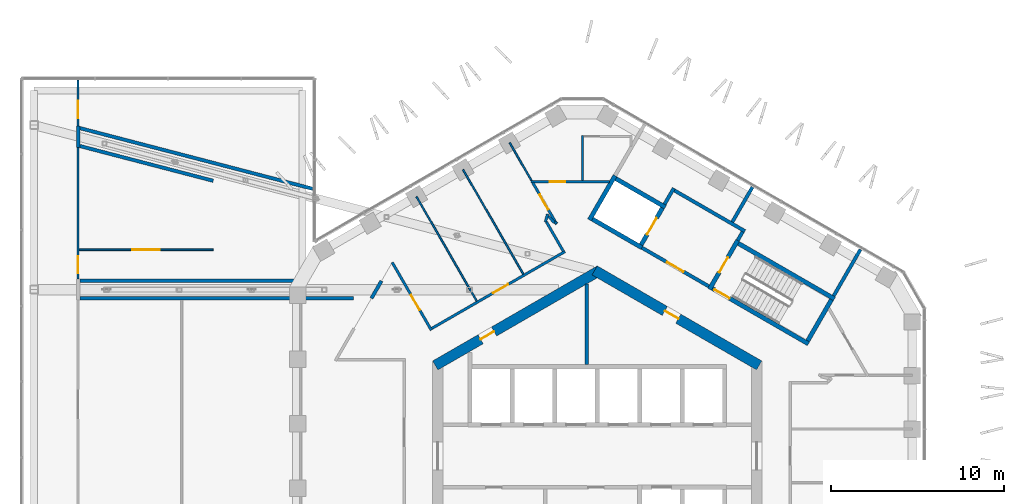
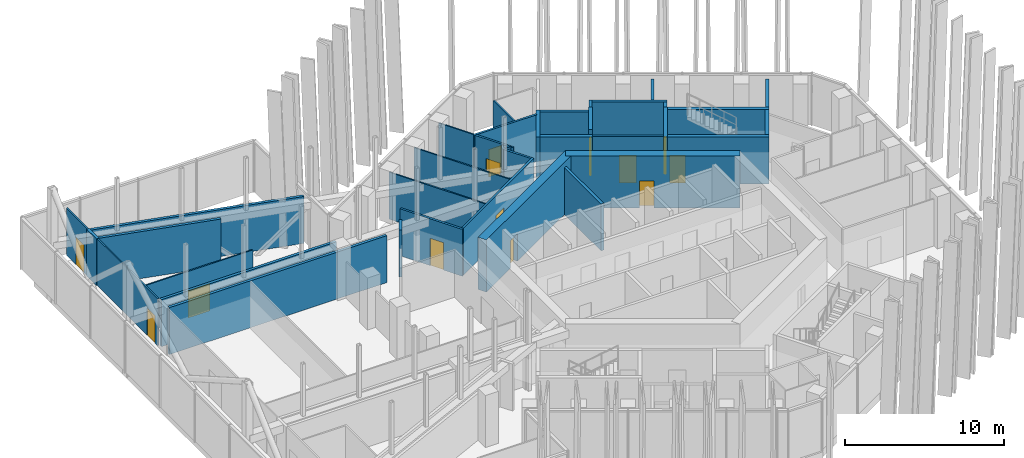
# One storey, part 21 of 28: 38 walls, 13 doors, 13 openings.
"""IFC4 building model written with IfcOpenShell, lengths in metres."""

from ifc_helpers import new_model, si_unit, direction, frame, frame_2d, origin, place, context, subcontext, project, spatial, rectangle, extrude, material, layer, layer_set, type_object, element, fill, save


model = new_model("IFC4")

# Units and contexts
model_context = context("Model", 3, precision=1e-05, world=origin(), true_north=direction((0.0, 1.0)))
body_context = subcontext(model_context, "Body", "Model", "MODEL_VIEW")
ifc_project = project(units=[si_unit("LENGTHUNIT", "METRE"), si_unit("AREAUNIT", "SQUARE_METRE"), si_unit("VOLUMEUNIT", "CUBIC_METRE"), si_unit("PLANEANGLEUNIT", "RADIAN"), si_unit("MASSUNIT", "GRAM", prefix="KILO")], contexts=[model_context])

# Site, building, storey
site_placement = place(None, origin())
site = spatial("IfcSite", under=ifc_project, at=site_placement, CompositionType="ELEMENT")
building_placement = place(site_placement, origin())
building = spatial("IfcBuilding", under=site, at=building_placement, Name="Ayvan Gate Tower", CompositionType="ELEMENT")
storey_placement = place(building_placement, frame((0.0, 0.0, 202.10009765625)))
storey = spatial("IfcBuildingStorey", under=building, at=storey_placement, Name="L54", CompositionType="ELEMENT", Elevation=202.10009765625)

# Wall, opening, door
ifc_material_1 = material(Name="Concrete C60/75", Category="concrete")
ifc_layer_1 = layer(ifc_material_1, 0.60009765625)
ifc_layer_set_1 = layer_set([ifc_layer_1], Name="Concrete C60/75")
wall_type_1 = type_object("IfcWallType", Name="Core wall 600 C60/75", PredefinedType="SHEAR", material=ifc_layer_set_1)
wall_1_placement = place(storey_placement, frame((9.35009765625, 5.22509765625, 0.0), z_axis=(0.0, 0.0, 1.0), x_axis=(-0.866023993627, 0.500002442456, 0.0)))
wall_1 = element("IfcWall", 1, at=wall_1_placement, inside=storey, type_object=wall_type_1, Name="CORE-L54-1", PredefinedType="SHEAR", context=body_context, shape_type="SweptSolid", body=[
    extrude(rectangle(XDim=10.9697265625, YDim=0.60009765625, at=frame_2d((5.48486328125, 0.0))), origin(), (0.0, 0.0, 1.0), 4.0),
])
opening_1_placement = place(wall_1_placement, frame((5.393310546875, 0.0, 0.0)))
opening_1 = element("IfcOpeningElement", 2, at=opening_1_placement, cuts=wall_1, Name="Opening L54-D46", PredefinedType="OPENING", context=body_context, shape_type="SweptSolid", body=[
    extrude(rectangle(XDim=0.89990234375, YDim=2.10009765625, at=frame_2d((0.449951171875, 1.050048828125))), frame((0.0, 0.31005859375, 0.0), z_axis=(0.0, -1.0, 0.0), x_axis=(1.0, 0.0, 0.0)), (0.0, 0.0, 1.0), 0.6201171875),
])
ifc_material_2 = material(Name="Timber door leaf", Category="wood")
door_type_1 = type_object("IfcDoorType", Name="DT-900", OperationType="NOTDEFINED", PredefinedType="DOOR", material=ifc_material_2)
door_1_placement = place(opening_1_placement, origin())
door_1 = element("IfcDoor", 3, at=door_1_placement, inside=storey, type_object=door_type_1, Name="CD-L54-46", OperationType="SINGLE_SWING_RIGHT", OverallHeight=2.10009765625, OverallWidth=0.89990234375, PredefinedType="DOOR", context=body_context, shape_type="SweptSolid", body=[
    extrude(rectangle(XDim=0.89990234375, YDim=2.10009765625, at=frame_2d((0.449951171875, 1.050048828125))), frame((0.0, 0.02490234375, 0.0), z_axis=(0.0, -1.0, 0.0), x_axis=(1.0, 0.0, 0.0)), (0.0, 0.0, 1.0), 0.050048828125),
])
fill(opening_1, door_1)

wall_2_placement = place(storey_placement, frame((0.14990234375, 10.7099609375, 0.0), z_axis=(0.0, 0.0, 1.0), x_axis=(-0.866023993627, -0.500002442456, 0.0)))
wall_2 = element("IfcWall", 4, at=wall_2_placement, inside=storey, type_object=wall_type_1, Name="CORE-L54-2", PredefinedType="SHEAR", context=body_context, shape_type="SweptSolid", body=[
    extrude(rectangle(XDim=10.9697265625, YDim=0.60009765625, at=frame_2d((5.48486328125, 0.0))), origin(), (0.0, 0.0, 1.0), 4.0),
])
opening_2_placement = place(wall_2_placement, frame((7.05029296875, 0.0, 0.0)))
opening_2 = element("IfcOpeningElement", 5, at=opening_2_placement, cuts=wall_2, Name="Opening L54-D45", PredefinedType="OPENING", context=body_context, shape_type="SweptSolid", body=[
    extrude(rectangle(XDim=0.89990234375, YDim=2.10009765625, at=frame_2d((0.449951171875, 1.050048828125))), frame((0.0, 0.31005859375, 0.0), z_axis=(0.0, -1.0, 0.0), x_axis=(1.0, 0.0, 0.0)), (0.0, 0.0, 1.0), 0.6201171875),
])
door_2_placement = place(opening_2_placement, origin())
door_2 = element("IfcDoor", 6, at=door_2_placement, inside=storey, type_object=door_type_1, Name="CD-L54-45", OperationType="SINGLE_SWING_LEFT", OverallHeight=2.10009765625, OverallWidth=0.89990234375, PredefinedType="DOOR", context=body_context, shape_type="SweptSolid", body=[
    extrude(rectangle(XDim=0.89990234375, YDim=2.10009765625, at=frame_2d((0.449951171875, 1.050048828125))), frame((0.0, 0.02490234375, 0.0), z_axis=(0.0, -1.0, 0.0), x_axis=(1.0, 0.0, 0.0)), (0.0, 0.0, 1.0), 0.050048828125),
])
fill(opening_2, door_2)

ifc_material_3 = material(Name="Plasterboard on steel stud", Category="steel")
ifc_layer_2 = layer(ifc_material_3, 0.14990234375)
ifc_layer_set_2 = layer_set([ifc_layer_2], Name="Plasterboard on steel stud")
wall_type_2 = type_object("IfcWallType", Name="WT-CORR-150", PredefinedType="PARTITIONING", material=ifc_layer_set_2)
wall_3_placement = place(storey_placement, frame((-11.83642578125, 11.1748046875, 0.0), z_axis=(0.0, 0.0, 1.0), x_axis=(0.499960863417, -0.866047998122, 0.0)))
wall_3 = element("IfcWall", 7, at=wall_3_placement, inside=storey, type_object=wall_type_2, Name="IW-L54-036", PredefinedType="PARTITIONING", context=body_context, shape_type="SweptSolid", body=[
    extrude(rectangle(XDim=4.520751953125, YDim=0.14990234375, at=frame_2d((2.26025390625, 0.0))), origin(), (0.0, 0.0, 1.0), 3.599853515625),
])
opening_3_placement = place(wall_3_placement, frame((2.1728515625, 0.0, 0.0)))
opening_3 = element("IfcOpeningElement", 8, at=opening_3_placement, cuts=wall_3, Name="Opening L54-D32", PredefinedType="OPENING", context=body_context, shape_type="SweptSolid", body=[
    extrude(rectangle(XDim=1.0, YDim=2.10009765625, at=frame_2d((0.5, 1.050048828125))), frame((0.0, 0.0849609375, 0.0), z_axis=(0.0, -1.0, 0.0), x_axis=(1.0, 0.0, 0.0)), (0.0, 0.0, 1.0), 0.169921875),
])
door_type_2 = type_object("IfcDoorType", Name="DT-1000", OperationType="NOTDEFINED", PredefinedType="DOOR", material=ifc_material_2)
door_3_placement = place(opening_3_placement, origin())
door_3 = element("IfcDoor", 9, at=door_3_placement, inside=storey, type_object=door_type_2, Name="ID-L54-032", OperationType="SINGLE_SWING_RIGHT", OverallHeight=2.10009765625, OverallWidth=1.0, PredefinedType="DOOR", context=body_context, shape_type="SweptSolid", body=[
    extrude(rectangle(XDim=1.0, YDim=2.10009765625, at=frame_2d((0.5, 1.050048828125))), frame((0.0, 0.02490234375, 0.0), z_axis=(0.0, -1.0, 0.0), x_axis=(1.0, 0.0, 0.0)), (0.0, 0.0, 1.0), 0.050048828125),
])
fill(opening_3, door_3)

wall_4_placement = place(storey_placement, frame((-9.548583984375, 7.362060546875, 0.0), z_axis=(0.0, 0.0, 1.0), x_axis=(0.86603261217, 0.499987514502, 0.0)))
wall_4 = element("IfcWall", 10, at=wall_4_placement, inside=storey, type_object=wall_type_2, Name="IW-L54-042", PredefinedType="PARTITIONING", context=body_context, shape_type="SweptSolid", body=[
    extrude(rectangle(XDim=8.876708984375, YDim=0.14990234375, at=frame_2d((4.4384765625, 0.0))), origin(), (0.0, 0.0, 1.0), 3.599853515625),
])
opening_4_placement = place(wall_4_placement, frame((4.08837890625, 0.0, 0.0)))
opening_4 = element("IfcOpeningElement", 11, at=opening_4_placement, cuts=wall_4, Name="Opening L54-D31", PredefinedType="OPENING", context=body_context, shape_type="SweptSolid", body=[
    extrude(rectangle(XDim=1.0, YDim=2.10009765625, at=frame_2d((0.5, 1.050048828125))), frame((0.0, 0.0849609375, 0.0), z_axis=(0.0, -1.0, 0.0), x_axis=(1.0, 0.0, 0.0)), (0.0, 0.0, 1.0), 0.169921875),
])
door_4_placement = place(opening_4_placement, origin())
door_4 = element("IfcDoor", 12, at=door_4_placement, inside=storey, type_object=door_type_2, Name="ID-L54-031", OperationType="SINGLE_SWING_LEFT", OverallHeight=2.10009765625, OverallWidth=1.0, PredefinedType="DOOR", context=body_context, shape_type="SweptSolid", body=[
    extrude(rectangle(XDim=1.0, YDim=2.10009765625, at=frame_2d((0.5, 1.050048828125))), frame((0.0, 0.02490234375, 0.0), z_axis=(0.0, -1.0, 0.0), x_axis=(1.0, 0.0, 0.0)), (0.0, 0.0, 1.0), 0.050048828125),
])
fill(opening_4, door_4)

wall_5_placement = place(storey_placement, frame((-3.834228515625, 15.838134765625, 0.0), z_axis=(0.0, 0.0, 1.0), x_axis=(1.0, 0.0, 0.0)))
wall_5 = element("IfcWall", 13, at=wall_5_placement, inside=storey, type_object=wall_type_2, Name="IW-L54-059", PredefinedType="PARTITIONING", context=body_context, shape_type="SweptSolid", body=[
    extrude(rectangle(XDim=4.53955078125, YDim=0.14990234375, at=frame_2d((2.269775390625, 0.0))), origin(), (0.0, 0.0, 1.0), 3.599853515625),
])
opening_5_placement = place(wall_5_placement, frame((1.083251953125, 0.0, 0.0)))
opening_5 = element("IfcOpeningElement", 14, at=opening_5_placement, cuts=wall_5, Name="Opening L54-D25", PredefinedType="OPENING", context=body_context, shape_type="SweptSolid", body=[
    extrude(rectangle(XDim=0.89990234375, YDim=2.10009765625, at=frame_2d((0.449951171875, 1.050048828125))), frame((0.0, 0.0849609375, 0.0), z_axis=(0.0, -1.0, 0.0), x_axis=(1.0, 0.0, 0.0)), (0.0, 0.0, 1.0), 0.169921875),
])
door_5_placement = place(opening_5_placement, origin())
door_5 = element("IfcDoor", 15, at=door_5_placement, inside=storey, type_object=door_type_1, Name="ID-L54-025", OperationType="SINGLE_SWING_LEFT", OverallHeight=2.10009765625, OverallWidth=0.89990234375, PredefinedType="DOOR", context=body_context, shape_type="SweptSolid", body=[
    extrude(rectangle(XDim=0.89990234375, YDim=2.10009765625, at=frame_2d((0.449951171875, 1.050048828125))), frame((0.0, 0.02490234375, 0.0), z_axis=(0.0, -1.0, 0.0), x_axis=(1.0, 0.0, 0.0)), (0.0, 0.0, 1.0), 0.050048828125),
])
fill(opening_5, door_5)

# Walls
wall_6_placement = place(storey_placement, frame((-2.993896484375, 13.5048828125, 0.0), z_axis=(0.0, 0.0, 1.0), x_axis=(0.272901613018, 0.962041947948, 0.0)))
element("IfcWall", 16, at=wall_6_placement, inside=storey, type_object=wall_type_2, Name="IW-L54-062", PredefinedType="PARTITIONING", context=body_context, shape_type="SweptSolid", body=[
    extrude(rectangle(XDim=0.478515625, YDim=0.14990234375, at=frame_2d((0.2392578125, 0.0))), origin(), (0.0, 0.0, 1.0), 3.599853515625),
])
wall_7_placement = place(storey_placement, frame((-2.831787109375, 13.839111328125, 0.0), z_axis=(0.0, 0.0, 1.0), x_axis=(0.693981147863, -0.719993171086, 0.0)))
element("IfcWall", 17, at=wall_7_placement, inside=storey, type_object=wall_type_2, Name="IW-L54-063", PredefinedType="PARTITIONING", context=body_context, shape_type="SweptSolid", body=[
    extrude(rectangle(XDim=0.49755859375, YDim=0.14990234375, at=frame_2d((0.248779296875, 0.0))), origin(), (0.0, 0.0, 1.0), 3.599853515625),
])
wall_8_placement = place(storey_placement, frame((-2.439697265625, 13.516357421875, 0.0), z_axis=(0.0, 0.0, 1.0), x_axis=(0.697973238533, -0.716123842845, 0.0)))
element("IfcWall", 18, at=wall_8_placement, inside=storey, type_object=wall_type_2, Name="IW-L54-065", PredefinedType="PARTITIONING", context=body_context, shape_type="SweptSolid", body=[
    extrude(rectangle(XDim=0.14794921875, YDim=0.14990234375, at=frame_2d((0.073974609375, 0.0))), origin(), (0.0, 0.0, 1.0), 3.599853515625),
])

# Wall, opening, door
wall_9_placement = place(storey_placement, frame((-2.42626953125, 13.529296875, 0.0), z_axis=(0.0, 0.0, 1.0), x_axis=(-0.49996987118, 0.866042797968, 0.0)))
wall_9 = element("IfcWall", 19, at=wall_9_placement, inside=storey, type_object=wall_type_2, Name="IW-L54-069", PredefinedType="PARTITIONING", context=body_context, shape_type="SweptSolid", body=[
    extrude(rectangle(XDim=2.591064453125, YDim=0.14990234375, at=frame_2d((1.29541015625, 0.0))), origin(), (0.0, 0.0, 1.0), 3.599853515625),
])
opening_6_placement = place(wall_9_placement, frame((0.79541015625, 0.0, 0.0)))
opening_6 = element("IfcOpeningElement", 20, at=opening_6_placement, cuts=wall_9, Name="Opening L54-D30", PredefinedType="OPENING", context=body_context, shape_type="SweptSolid", body=[
    extrude(rectangle(XDim=1.0, YDim=2.10009765625, at=frame_2d((0.5, 1.050048828125))), frame((0.0, 0.0849609375, 0.0), z_axis=(0.0, -1.0, 0.0), x_axis=(1.0, 0.0, 0.0)), (0.0, 0.0, 1.0), 0.169921875),
])
door_6_placement = place(opening_6_placement, origin())
door_6 = element("IfcDoor", 21, at=door_6_placement, inside=storey, type_object=door_type_2, Name="ID-L54-030", OperationType="SINGLE_SWING_RIGHT", OverallHeight=2.10009765625, OverallWidth=1.0, PredefinedType="DOOR", context=body_context, shape_type="SweptSolid", body=[
    extrude(rectangle(XDim=1.0, YDim=2.10009765625, at=frame_2d((0.5, 1.050048828125))), frame((0.0, 0.02490234375, 0.0), z_axis=(0.0, -1.0, 0.0), x_axis=(1.0, 0.0, 0.0)), (0.0, 0.0, 1.0), 0.050048828125),
])
fill(opening_6, door_6)

# Wall
wall_10_placement = place(storey_placement, frame((-1.963623046875, 11.827880859375, 0.0), z_axis=(0.0, 0.0, 1.0), x_axis=(-0.499986865671, 0.86603298676, 0.0)))
element("IfcWall", 22, at=wall_10_placement, inside=storey, type_object=wall_type_2, Name="IW-L54-070", PredefinedType="PARTITIONING", context=body_context, shape_type="SweptSolid", body=[
    extrude(rectangle(XDim=1.94482421875, YDim=0.14990234375, at=frame_2d((0.972412109375, 0.0))), origin(), (0.0, 0.0, 1.0), 3.599853515625),
])

# Wall, opening, door
ifc_layer_3 = layer(ifc_material_3, 0.10009765625)
ifc_layer_set_3 = layer_set([ifc_layer_3], Name="Plasterboard on steel stud")
wall_type_3 = type_object("IfcWallType", Name="WT-PART-100", PredefinedType="PARTITIONING", material=ifc_layer_set_3)
wall_11_placement = place(storey_placement, frame((-29.92431640625, 11.89990234375, 0.0), z_axis=(0.0, 0.0, 1.0), x_axis=(1.0, 0.0, 0.0)))
wall_11 = element("IfcWall", 23, at=wall_11_placement, inside=storey, type_object=wall_type_3, Name="IW-L54-011", PredefinedType="PARTITIONING", context=body_context, shape_type="SweptSolid", body=[
    extrude(rectangle(XDim=7.75, YDim=0.10009765625, at=frame_2d((3.875, 0.0))), origin(), (0.0, 0.0, 1.0), 3.599853515625),
])
opening_7_placement = place(wall_11_placement, frame((3.074951171875, 0.0, 0.0)))
opening_7 = element("IfcOpeningElement", 24, at=opening_7_placement, cuts=wall_11, Name="Opening L54-D36", PredefinedType="OPENING", context=body_context, shape_type="SweptSolid", body=[
    extrude(rectangle(XDim=1.60009765625, YDim=2.10009765625, at=frame_2d((0.800048828125, 1.050048828125))), frame((0.0, 0.06005859375, 0.0), z_axis=(0.0, -1.0, 0.0), x_axis=(1.0, 0.0, 0.0)), (0.0, 0.0, 1.0), 0.1201171875),
])
door_type_3 = type_object("IfcDoorType", Name="DT-1600", OperationType="NOTDEFINED", PredefinedType="DOOR", material=ifc_material_2)
door_7_placement = place(opening_7_placement, origin())
door_7 = element("IfcDoor", 25, at=door_7_placement, inside=storey, type_object=door_type_3, Name="ID-L54-036", OperationType="SINGLE_SWING_RIGHT", OverallHeight=2.10009765625, OverallWidth=1.60009765625, PredefinedType="DOOR", context=body_context, shape_type="SweptSolid", body=[
    extrude(rectangle(XDim=1.60009765625, YDim=2.10009765625, at=frame_2d((0.800048828125, 1.050048828125))), frame((0.0, 0.02490234375, 0.0), z_axis=(0.0, -1.0, 0.0), x_axis=(1.0, 0.0, 0.0)), (0.0, 0.0, 1.0), 0.050048828125),
])
fill(opening_7, door_7)

wall_12_placement = place(storey_placement, frame((-29.974365234375, 10.199951171875, 0.0), z_axis=(0.0, 0.0, 1.0), x_axis=(0.0, 1.0, 0.0)))
wall_12 = element("IfcWall", 26, at=wall_12_placement, inside=storey, type_object=wall_type_3, Name="IW-L54-012", PredefinedType="PARTITIONING", context=body_context, shape_type="SweptSolid", body=[
    extrude(rectangle(XDim=7.618896484375, YDim=0.10009765625, at=frame_2d((3.8095703125, 0.0))), origin(), (0.0, 0.0, 1.0), 3.599853515625),
])
opening_8_placement = place(wall_12_placement, frame((0.335205078125, 0.0, 0.0)))
opening_8 = element("IfcOpeningElement", 27, at=opening_8_placement, cuts=wall_12, Name="Opening L54-D35", PredefinedType="OPENING", context=body_context, shape_type="SweptSolid", body=[
    extrude(rectangle(XDim=1.0, YDim=2.10009765625, at=frame_2d((0.5, 1.050048828125))), frame((0.0, 0.06005859375, 0.0), z_axis=(0.0, -1.0, 0.0), x_axis=(1.0, 0.0, 0.0)), (0.0, 0.0, 1.0), 0.1201171875),
])
door_8_placement = place(opening_8_placement, origin())
door_8 = element("IfcDoor", 28, at=door_8_placement, inside=storey, type_object=door_type_2, Name="ID-L54-035", OperationType="SINGLE_SWING_LEFT", OverallHeight=2.10009765625, OverallWidth=1.0, PredefinedType="DOOR", context=body_context, shape_type="SweptSolid", body=[
    extrude(rectangle(XDim=1.0, YDim=2.10009765625, at=frame_2d((0.5, 1.050048828125))), frame((0.0, 0.02490234375, 0.0), z_axis=(0.0, -1.0, 0.0), x_axis=(1.0, 0.0, 0.0)), (0.0, 0.0, 1.0), 0.050048828125),
])
fill(opening_8, door_8)

wall_13_placement = place(storey_placement, frame((-29.974365234375, 21.696044921875, 0.0), z_axis=(0.0, 0.0, 1.0), x_axis=(0.0, -1.0, 0.0)))
wall_13 = element("IfcWall", 29, at=wall_13_placement, inside=storey, type_object=wall_type_3, Name="IW-L54-015", PredefinedType="PARTITIONING", context=body_context, shape_type="SweptSolid", body=[
    extrude(rectangle(XDim=2.64404296875, YDim=0.10009765625, at=frame_2d((1.322021484375, 0.0))), origin(), (0.0, 0.0, 1.0), 3.599853515625),
])
opening_9_placement = place(wall_13_placement, frame((1.195068359375, 0.0, 0.0)))
opening_9 = element("IfcOpeningElement", 30, at=opening_9_placement, cuts=wall_13, Name="Opening L54-D34", PredefinedType="OPENING", context=body_context, shape_type="SweptSolid", body=[
    extrude(rectangle(XDim=1.0, YDim=2.10009765625, at=frame_2d((0.5, 1.050048828125))), frame((0.0, 0.06005859375, 0.0), z_axis=(0.0, -1.0, 0.0), x_axis=(1.0, 0.0, 0.0)), (0.0, 0.0, 1.0), 0.1201171875),
])
door_9_placement = place(opening_9_placement, origin())
door_9 = element("IfcDoor", 31, at=door_9_placement, inside=storey, type_object=door_type_2, Name="ID-L54-034", OperationType="SINGLE_SWING_RIGHT", OverallHeight=2.10009765625, OverallWidth=1.0, PredefinedType="DOOR", context=body_context, shape_type="SweptSolid", body=[
    extrude(rectangle(XDim=1.0, YDim=2.10009765625, at=frame_2d((0.5, 1.050048828125))), frame((0.0, 0.02490234375, 0.0), z_axis=(0.0, -1.0, 0.0), x_axis=(1.0, 0.0, 0.0)), (0.0, 0.0, 1.0), 0.050048828125),
])
fill(opening_9, door_9)

# Walls
wall_14_placement = place(storey_placement, frame((-6.958740234375, 8.94384765625, 0.0), z_axis=(0.0, 0.0, 1.0), x_axis=(-0.499982511794, 0.866035500369, 0.0)))
element("IfcWall", 32, at=wall_14_placement, inside=storey, type_object=wall_type_3, Name="IW-L54-052", PredefinedType="PARTITIONING", context=body_context, shape_type="SweptSolid", body=[
    extrude(rectangle(XDim=6.961669921875, YDim=0.10009765625, at=frame_2d((3.48095703125, 0.0))), origin(), (0.0, 0.0, 1.0), 3.599853515625),
])
wall_15_placement = place(storey_placement, frame((-4.266357421875, 10.498291015625, 0.0), z_axis=(0.0, 0.0, 1.0), x_axis=(-0.499997697262, 0.866026733267, 0.0)))
element("IfcWall", 33, at=wall_15_placement, inside=storey, type_object=wall_type_3, Name="IW-L54-056", PredefinedType="PARTITIONING", context=body_context, shape_type="SweptSolid", body=[
    extrude(rectangle(XDim=6.96142578125, YDim=0.10009765625, at=frame_2d((3.480712890625, 0.0))), origin(), (0.0, 0.0, 1.0), 3.599853515625),
])
wall_16_placement = place(storey_placement, frame((-3.796875, 15.903076171875, 0.0), z_axis=(0.0, 0.0, 1.0), x_axis=(-0.499980071345, 0.866036909293, 0.0)))
element("IfcWall", 34, at=wall_16_placement, inside=storey, type_object=wall_type_3, Name="IW-L54-058", PredefinedType="PARTITIONING", context=body_context, shape_type="SweptSolid", body=[
    extrude(rectangle(XDim=2.515625, YDim=0.10009765625, at=frame_2d((1.2578125, 0.0))), origin(), (0.0, 0.0, 1.0), 3.599853515625),
])
wall_17_placement = place(storey_placement, frame((-0.84765625, 18.488037109375, 0.0), z_axis=(0.0, 0.0, 1.0), x_axis=(0.0, -1.0, 0.0)))
element("IfcWall", 35, at=wall_17_placement, inside=storey, type_object=wall_type_3, Name="IW-L54-075", PredefinedType="PARTITIONING", context=body_context, shape_type="SweptSolid", body=[
    extrude(rectangle(XDim=2.574951171875, YDim=0.10009765625, at=frame_2d((1.28759765625, 0.0))), origin(), (0.0, 0.0, 1.0), 3.599853515625),
])
ifc_layer_4 = layer(ifc_material_3, 0.199951171875)
ifc_layer_set_4 = layer_set([ifc_layer_4], Name="Plasterboard on steel stud")
wall_type_4 = type_object("IfcWallType", Name="WT-PLUMB-200", PredefinedType="PLUMBINGWALL", material=ifc_layer_set_4)
wall_18_placement = place(storey_placement, frame((-29.874267578125, 10.10009765625, 0.0), z_axis=(0.0, 0.0, 1.0), x_axis=(1.0, 0.0, 0.0)))
element("IfcWall", 36, at=wall_18_placement, inside=storey, type_object=wall_type_4, Name="IW-L54-010", PredefinedType="PLUMBINGWALL", context=body_context, shape_type="SweptSolid", body=[
    extrude(rectangle(XDim=12.699951171875, YDim=0.199951171875, at=frame_2d((6.35009765625, 0.0))), origin(), (0.0, 0.0, 1.0), 3.599853515625),
])
wall_19_placement = place(storey_placement, frame((-29.974365234375, 17.81884765625, 0.0), z_axis=(0.0, 0.0, 1.0), x_axis=(0.0, 1.0, 0.0)))
element("IfcWall", 37, at=wall_19_placement, inside=storey, type_object=wall_type_4, Name="IW-L54-013", PredefinedType="PLUMBINGWALL", context=body_context, shape_type="SweptSolid", body=[
    extrude(rectangle(XDim=1.2333984375, YDim=0.199951171875, at=frame_2d((0.61669921875, 0.0))), origin(), (0.0, 0.0, 1.0), 3.599853515625),
])
wall_20_placement = place(storey_placement, frame((-29.87744140625, 18.927001953125, 0.0), z_axis=(0.0, 0.0, 1.0), x_axis=(0.967683445077, -0.252168098941, 0.0)))
element("IfcWall", 38, at=wall_20_placement, inside=storey, type_object=wall_type_4, Name="IW-L54-014", PredefinedType="PLUMBINGWALL", context=body_context, shape_type="SweptSolid", body=[
    extrude(rectangle(XDim=13.90185546875, YDim=0.199951171875, at=frame_2d((6.950927734375, 0.0))), origin(), (0.0, 0.0, 1.0), 3.599853515625),
])
wall_21_placement = place(storey_placement, frame((-29.874267578125, 9.10009765625, 0.0), z_axis=(0.0, 0.0, 1.0), x_axis=(1.0, 0.0, 0.0)))
element("IfcWall", 39, at=wall_21_placement, inside=storey, type_object=wall_type_4, Name="IW-L54-019", PredefinedType="PLUMBINGWALL", context=body_context, shape_type="SweptSolid", body=[
    extrude(rectangle(XDim=15.80078125, YDim=0.199951171875, at=frame_2d((7.900390625, 0.0))), origin(), (0.0, 0.0, 1.0), 3.599853515625),
])
wall_22_placement = place(storey_placement, frame((-22.17431640625, 15.885986328125, 0.0), z_axis=(0.0, 0.0, 1.0), x_axis=(-0.967676846945, 0.25219341761, 0.0)))
element("IfcWall", 40, at=wall_22_placement, inside=storey, type_object=wall_type_4, Name="IW-L54-020", PredefinedType="PLUMBINGWALL", context=body_context, shape_type="SweptSolid", body=[
    extrude(rectangle(XDim=7.96044921875, YDim=0.199951171875, at=frame_2d((3.980224609375, 0.0))), origin(), (0.0, 0.0, 1.0), 3.599853515625),
])
wall_23_placement = place(storey_placement, frame((-13.034423828125, 9.099853515625, 0.0), z_axis=(0.0, 0.0, 1.0), x_axis=(0.500094469721, 0.865970854795, 0.0)))
element("IfcWall", 41, at=wall_23_placement, inside=storey, type_object=wall_type_4, Name="IW-L54-034", PredefinedType="PLUMBINGWALL", context=body_context, shape_type="SweptSolid", body=[
    extrude(rectangle(XDim=1.155029296875, YDim=0.199951171875, at=frame_2d((0.57763671875, 0.0))), origin(), (0.0, 0.0, 1.0), 3.599853515625),
])
wall_24_placement = place(storey_placement, frame((3.885009765625, 14.52880859375, 0.0), z_axis=(0.0, 0.0, 1.0), x_axis=(0.499997628298, 0.866026773083, 0.0)))
element("IfcWall", 42, at=wall_24_placement, inside=storey, type_object=wall_type_4, Name="IW-L54-095", PredefinedType="PLUMBINGWALL", context=body_context, shape_type="SweptSolid", body=[
    extrude(rectangle(XDim=1.0751953125, YDim=0.199951171875, at=frame_2d((0.53759765625, 0.0))), origin(), (0.0, 0.0, 1.0), 3.599853515625),
])
wall_25_placement = place(storey_placement, frame((4.458984375, 15.323486328125, 0.0), z_axis=(0.0, 0.0, 1.0), x_axis=(0.866016039709, -0.500016218704, 0.0)))
element("IfcWall", 43, at=wall_25_placement, inside=storey, type_object=wall_type_4, Name="IW-L54-096", PredefinedType="PLUMBINGWALL", context=body_context, shape_type="SweptSolid", body=[
    extrude(rectangle(XDim=4.699951171875, YDim=0.199951171875, at=frame_2d((2.35009765625, 0.0))), origin(), (0.0, 0.0, 1.0), 3.599853515625),
])
wall_26_placement = place(storey_placement, frame((7.800048828125, 13.510009765625, 0.0), z_axis=(0.0, 0.0, 1.0), x_axis=(0.500032142234, 0.866006845662, 0.0)))
element("IfcWall", 44, at=wall_26_placement, inside=storey, type_object=wall_type_4, Name="IW-L54-110", PredefinedType="PLUMBINGWALL", context=body_context, shape_type="SweptSolid", body=[
    extrude(rectangle(XDim=2.320068359375, YDim=0.199951171875, at=frame_2d((1.16015625, 0.0))), origin(), (0.0, 0.0, 1.0), 3.599853515625),
])
wall_27_placement = place(storey_placement, frame((8.392822265625, 12.936767578125, 0.0), z_axis=(0.0, 0.0, 1.0), x_axis=(-0.500065409566, -0.86598763626, 0.0)))
element("IfcWall", 45, at=wall_27_placement, inside=storey, type_object=wall_type_4, Name="IW-L54-112", PredefinedType="PLUMBINGWALL", context=body_context, shape_type="SweptSolid", body=[
    extrude(rectangle(XDim=0.5751953125, YDim=0.199951171875, at=frame_2d((0.28759765625, 0.0))), origin(), (0.0, 0.0, 1.0), 3.599853515625),
])
wall_28_placement = place(storey_placement, frame((15.195556640625, 11.91943359375, 0.0), z_axis=(0.0, 0.0, 1.0), x_axis=(-0.499981900942, -0.866035853028, 0.0)))
element("IfcWall", 46, at=wall_28_placement, inside=storey, type_object=wall_type_4, Name="IW-L54-129", PredefinedType="PLUMBINGWALL", context=body_context, shape_type="SweptSolid", body=[
    extrude(rectangle(XDim=3.09521484375, YDim=0.199951171875, at=frame_2d((1.547607421875, 0.0))), origin(), (0.0, 0.0, 1.0), 3.599853515625),
])
ifc_layer_5 = layer(ifc_material_3, 0.199951171875)
ifc_layer_set_5 = layer_set([ifc_layer_5], Name="Plasterboard on steel stud")
wall_type_5 = type_object("IfcWallType", Name="WT-RATED-200", PredefinedType="PARTITIONING", material=ifc_layer_set_5)
wall_29_placement = place(storey_placement, frame((-0.60009765625, 9.930419921875, 0.0), z_axis=(0.0, 0.0, 1.0), x_axis=(0.0, -1.0, 0.0)))
element("IfcWall", 47, at=wall_29_placement, inside=storey, type_object=wall_type_5, Name="IW-L54-077", PredefinedType="PARTITIONING", context=body_context, shape_type="SweptSolid", body=[
    extrude(rectangle(XDim=4.655517578125, YDim=0.199951171875, at=frame_2d((2.32763671875, 0.0))), origin(), (0.0, 0.0, 1.0), 3.599853515625),
])

# Wall, opening, door
wall_30_placement = place(storey_placement, frame((6.4345703125, 9.794921875, 0.0), z_axis=(0.0, 0.0, 1.0), x_axis=(-0.866012907634, 0.500021643343, 0.0)))
wall_30 = element("IfcWall", 48, at=wall_30_placement, inside=storey, type_object=wall_type_5, Name="IW-L54-101", PredefinedType="PARTITIONING", context=body_context, shape_type="SweptSolid", body=[
    extrude(rectangle(XDim=4.449951171875, YDim=0.199951171875, at=frame_2d((2.22509765625, 0.0))), origin(), (0.0, 0.0, 1.0), 3.599853515625),
])
opening_10_placement = place(wall_30_placement, frame((1.675048828125, 0.0, 0.0)))
opening_10 = element("IfcOpeningElement", 49, at=opening_10_placement, cuts=wall_30, Name="Opening L54-D12", PredefinedType="OPENING", context=body_context, shape_type="SweptSolid", body=[
    extrude(rectangle(XDim=1.10009765625, YDim=2.10009765625, at=frame_2d((0.550048828125, 1.050048828125))), frame((0.0, 0.10986328125, 0.0), z_axis=(0.0, -1.0, 0.0), x_axis=(1.0, 0.0, 0.0)), (0.0, 0.0, 1.0), 0.219970703125),
])
door_type_4 = type_object("IfcDoorType", Name="DT-1100", OperationType="NOTDEFINED", PredefinedType="DOOR", material=ifc_material_2)
door_10_placement = place(opening_10_placement, origin())
door_10 = element("IfcDoor", 50, at=door_10_placement, inside=storey, type_object=door_type_4, Name="ID-L54-012", OperationType="SINGLE_SWING_RIGHT", OverallHeight=2.10009765625, OverallWidth=1.10009765625, PredefinedType="DOOR", context=body_context, shape_type="SweptSolid", body=[
    extrude(rectangle(XDim=1.10009765625, YDim=2.10009765625, at=frame_2d((0.550048828125, 1.050048828125))), frame((0.0, 0.02490234375, 0.0), z_axis=(0.0, -1.0, 0.0), x_axis=(1.0, 0.0, 0.0)), (0.0, 0.0, 1.0), 0.050048828125),
])
fill(opening_10, door_10)

# Walls
ifc_material_4 = material(Name="Concrete C50/60", Category="concrete")
ifc_layer_6 = layer(ifc_material_4, 0.25)
ifc_layer_set_6 = layer_set([ifc_layer_6], Name="Concrete C50/60")
wall_type_6 = type_object("IfcWallType", Name="WT-RC-250", PredefinedType="SHEAR", material=ifc_layer_set_6)
wall_31_placement = place(storey_placement, frame((-0.447998046875, 13.624267578125, 0.0), z_axis=(0.0, 0.0, 1.0), x_axis=(0.500037662692, 0.866003658127, 0.0)))
element("IfcWall", 51, at=wall_31_placement, inside=storey, type_object=wall_type_6, Name="IW-L54-078", PredefinedType="SHEAR", context=body_context, shape_type="SweptSolid", body=[
    extrude(rectangle(XDim=2.949951171875, YDim=0.25, at=frame_2d((1.47509765625, 0.0))), origin(), (0.0, 0.0, 1.0), 3.599853515625),
])
for number, where, z_axis, x_axis, name in (
    (52, (1.072998046875, 16.00830078125, 0.0), (0.0, 0.0, 1.0), (0.866040211805, -0.499974350878, 0.0), "IW-L54-081"),
    (53, (2.580810546875, 12.02001953125, 0.0), (0.0, 0.0, 1.0), (-0.866040211805, 0.499974350878, 0.0), "IW-L54-091"),
):
    element("IfcWall", number, at=place(storey_placement, frame(where, z_axis=z_axis, x_axis=x_axis)), inside=storey, type_object=wall_type_6, Name=name, PredefinedType="SHEAR", context=body_context, shape_type="SweptSolid", body=[
        extrude(rectangle(XDim=3.300048828125, YDim=0.25, at=frame_2d((1.64990234375, 0.0))), origin(), (0.0, 0.0, 1.0), 3.599853515625),
    ])

# Wall, opening, door
wall_32_placement = place(storey_placement, frame((2.534912109375, 12.19091796875, 0.0), z_axis=(0.0, 0.0, 1.0), x_axis=(0.500061746146, 0.865989751695, 0.0)))
wall_32 = element("IfcWall", 54, at=wall_32_placement, inside=storey, type_object=wall_type_6, Name="IW-L54-092", PredefinedType="SHEAR", context=body_context, shape_type="SweptSolid", body=[
    extrude(rectangle(XDim=2.449951171875, YDim=0.25, at=frame_2d((1.22509765625, 0.0))), origin(), (0.0, 0.0, 1.0), 4.0),
])
opening_11_placement = place(wall_32_placement, frame((0.675048828125, 0.0, 0.0)))
opening_11 = element("IfcOpeningElement", 55, at=opening_11_placement, cuts=wall_32, Name="Opening L54-LD-FF1", PredefinedType="OPENING", context=body_context, shape_type="SweptSolid", body=[
    extrude(rectangle(XDim=1.10009765625, YDim=2.10009765625, at=frame_2d((0.550048828125, 1.050048828125))), frame((0.0, 0.135009765625, 0.0), z_axis=(0.0, -1.0, 0.0), x_axis=(1.0, 0.0, 0.0)), (0.0, 0.0, 1.0), 0.27001953125),
])
ifc_material_5 = material(Name="Stainless steel landing door", Category="steel")
door_type_5 = type_object("IfcDoorType", Name="DT-LANDING-1100", OperationType="SLIDING_TO_LEFT", PredefinedType="DOOR", material=ifc_material_5)
door_11_placement = place(opening_11_placement, origin())
door_11 = element("IfcDoor", 56, at=door_11_placement, inside=storey, type_object=door_type_5, Name="ID-L54-013", OperationType="SLIDING_TO_LEFT", OverallHeight=2.10009765625, OverallWidth=1.10009765625, PredefinedType="DOOR", context=body_context, shape_type="SweptSolid", body=[
    extrude(rectangle(XDim=1.10009765625, YDim=2.10009765625, at=frame_2d((0.550048828125, 1.050048828125))), frame((0.0, 0.02490234375, 0.0), z_axis=(0.0, -1.0, 0.0), x_axis=(1.0, 0.0, 0.0)), (0.0, 0.0, 1.0), 0.050048828125),
])
fill(opening_11, door_11)

wall_33_placement = place(storey_placement, frame((6.480224609375, 9.624267578125, 0.0), z_axis=(0.0, 0.0, 1.0), x_axis=(0.500017246033, 0.866015446554, 0.0)))
wall_33 = element("IfcWall", 57, at=wall_33_placement, inside=storey, type_object=wall_type_6, Name="IW-L54-102", PredefinedType="SHEAR", context=body_context, shape_type="SweptSolid", body=[
    extrude(rectangle(XDim=3.25, YDim=0.25, at=frame_2d((1.625, 0.0))), origin(), (0.0, 0.0, 1.0), 3.599853515625),
])
opening_12_placement = place(wall_33_placement, frame((1.125, 0.0, 0.0)))
opening_12 = element("IfcOpeningElement", 58, at=opening_12_placement, cuts=wall_33, Name="Opening L54-D11", PredefinedType="OPENING", context=body_context, shape_type="SweptSolid", body=[
    extrude(rectangle(XDim=1.0, YDim=2.10009765625, at=frame_2d((0.5, 1.050048828125))), frame((0.0, 0.135009765625, 0.0), z_axis=(0.0, -1.0, 0.0), x_axis=(1.0, 0.0, 0.0)), (0.0, 0.0, 1.0), 0.27001953125),
])
door_12_placement = place(opening_12_placement, origin())
door_12 = element("IfcDoor", 59, at=door_12_placement, inside=storey, type_object=door_type_2, Name="ID-L54-011", OperationType="SINGLE_SWING_LEFT", OverallHeight=2.10009765625, OverallWidth=1.0, PredefinedType="DOOR", context=body_context, shape_type="SweptSolid", body=[
    extrude(rectangle(XDim=1.0, YDim=2.10009765625, at=frame_2d((0.5, 1.050048828125))), frame((0.0, 0.02490234375, 0.0), z_axis=(0.0, -1.0, 0.0), x_axis=(1.0, 0.0, 0.0)), (0.0, 0.0, 1.0), 0.050048828125),
])
fill(opening_12, door_12)

# Wall
wall_34_placement = place(storey_placement, frame((8.151123046875, 12.26806640625, 0.0), z_axis=(0.0, 0.0, 1.0), x_axis=(0.866025499775, -0.499999833739, 0.0)))
element("IfcWall", 60, at=wall_34_placement, inside=storey, type_object=wall_type_6, Name="IW-L54-111", PredefinedType="SHEAR", context=body_context, shape_type="SweptSolid", body=[
    extrude(rectangle(XDim=6.39990234375, YDim=0.25, at=frame_2d((3.199951171875, 0.0))), origin(), (0.0, 0.0, 1.0), 3.599853515625),
])

# Wall, opening, door
wall_35_placement = place(storey_placement, frame((12.193603515625, 6.469970703125, 0.0), z_axis=(0.0, 0.0, 1.0), x_axis=(-0.866025499775, 0.499999833739, 0.0)))
wall_35 = element("IfcWall", 61, at=wall_35_placement, inside=storey, type_object=wall_type_6, Name="IW-L54-121", PredefinedType="SHEAR", context=body_context, shape_type="SweptSolid", body=[
    extrude(rectangle(XDim=6.39990234375, YDim=0.25, at=frame_2d((3.199951171875, 0.0))), origin(), (0.0, 0.0, 1.0), 3.599853515625),
])
opening_13_placement = place(wall_35_placement, frame((5.25, 0.0, 0.0)))
opening_13 = element("IfcOpeningElement", 62, at=opening_13_placement, cuts=wall_35, Name="Opening L54-D10", PredefinedType="OPENING", context=body_context, shape_type="SweptSolid", body=[
    extrude(rectangle(XDim=1.0, YDim=2.10009765625, at=frame_2d((0.5, 1.050048828125))), frame((0.0, 0.135009765625, 0.0), z_axis=(0.0, -1.0, 0.0), x_axis=(1.0, 0.0, 0.0)), (0.0, 0.0, 1.0), 0.27001953125),
])
door_13_placement = place(opening_13_placement, origin())
door_13 = element("IfcDoor", 63, at=door_13_placement, inside=storey, type_object=door_type_2, Name="ID-L54-010", OperationType="SINGLE_SWING_RIGHT", OverallHeight=2.10009765625, OverallWidth=1.0, PredefinedType="DOOR", context=body_context, shape_type="SweptSolid", body=[
    extrude(rectangle(XDim=1.0, YDim=2.10009765625, at=frame_2d((0.5, 1.050048828125))), frame((0.0, 0.02490234375, 0.0), z_axis=(0.0, -1.0, 0.0), x_axis=(1.0, 0.0, 0.0)), (0.0, 0.0, 1.0), 0.050048828125),
])
fill(opening_13, door_13)

# Wall
wall_36_placement = place(storey_placement, frame((12.14794921875, 6.640869140625, 0.0), z_axis=(0.0, 0.0, 1.0), x_axis=(0.500034990121, 0.866005201286, 0.0)))
element("IfcWall", 64, at=wall_36_placement, inside=storey, type_object=wall_type_6, Name="IW-L54-127", PredefinedType="SHEAR", context=body_context, shape_type="SweptSolid", body=[
    extrude(rectangle(XDim=2.749755859375, YDim=0.25, at=frame_2d((1.375, 0.0))), origin(), (0.0, 0.0, 1.0), 3.599853515625),
])

save(model, "model.ifc")
